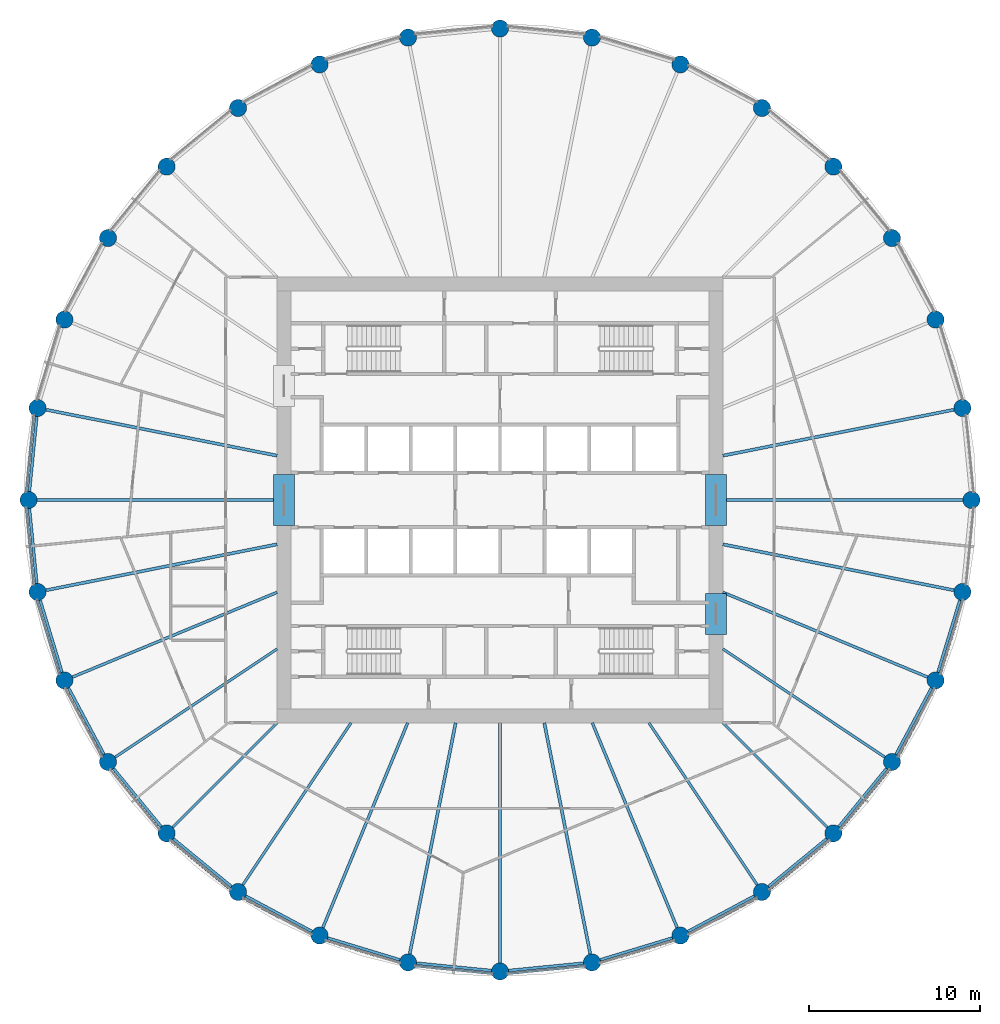
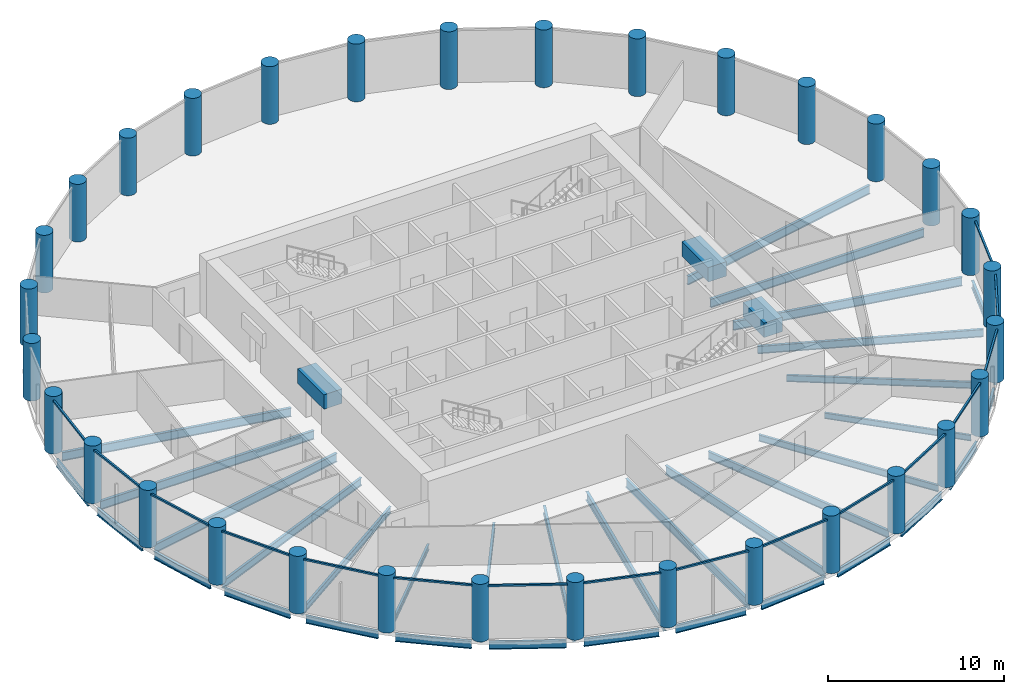
# One storey, part 1 of 9: 38 beams, 32 columns, 16 members, 16 elements without a shape of their own.
"""IFC4 building model written with IfcOpenShell, lengths in metres."""

from ifc_helpers import new_model, si_unit, direction, frame, origin, origin_2d, place, context, subcontext, project, spatial, rectangle, circle, i_section, extrude, material, material_profile, profile_set, type_object, element, aggregate, save


model = new_model("IFC4")

# Units and contexts
model_context = context("Model", 3, precision=1e-05, world=origin(), true_north=direction((0.0, 1.0)))
body_context = subcontext(model_context, "Body", "Model", "MODEL_VIEW")
ifc_project = project(units=[si_unit("LENGTHUNIT", "METRE"), si_unit("AREAUNIT", "SQUARE_METRE"), si_unit("VOLUMEUNIT", "CUBIC_METRE"), si_unit("PLANEANGLEUNIT", "RADIAN"), si_unit("MASSUNIT", "GRAM", prefix="KILO")], contexts=[model_context])

# Site, building, storey
site_placement = place(None, origin())
site = spatial("IfcSite", under=ifc_project, at=site_placement, CompositionType="ELEMENT")
building_placement = place(site_placement, origin())
building = spatial("IfcBuilding", under=site, at=building_placement, Name="Corvane Civic Tower", CompositionType="ELEMENT")
storey_placement = place(building_placement, frame((0.0, 0.0, 225.5)))
storey = spatial("IfcBuildingStorey", under=building, at=storey_placement, Name="L53", CompositionType="ELEMENT", Elevation=225.5)

# Columns
ifc_material_1 = material(Name="Concrete C60/75", Category="concrete")
ifc_material_profile_1 = material_profile(ifc_material_1, circle(Radius=0.5, at=origin_2d()), Name="COLUMN 1000")
ifc_profile_set_1 = profile_set([ifc_material_profile_1], Name="Concrete C60/75")
column_type = type_object("IfcColumnType", Name="RC COLUMN COLUMN 1000", PredefinedType="COLUMN", material=ifc_profile_set_1)
for number, where, z_axis, x_axis, name in (
    (1, (0.0, 27.5, 0.0), (0.0, 0.0, 1.0), (1.0, 0.0, 0.0), "COL-L53-D01"),
    (2, (5.364990234375, 26.9716796875, 0.0), (0.0, 0.0, 1.0), (1.0, 0.0, 0.0), "COL-L53-D02"),
    (3, (10.523681640625, 25.40673828125, 0.0), (0.0, 0.0, 1.0), (1.0, 0.0, 0.0), "COL-L53-D03"),
    (4, (15.278076171875, 22.865478515625, 0.0), (0.0, 0.0, 1.0), (1.0, 0.0, 0.0), "COL-L53-D04"),
    (5, (19.445556640625, 19.445556640625, 0.0), (0.0, 0.0, 1.0), (1.0, 0.0, 0.0), "COL-L53-D05"),
    (6, (22.865478515625, 15.278076171875, 0.0), (0.0, 0.0, 1.0), (1.0, 0.0, 0.0), "COL-L53-D06"),
    (7, (25.40673828125, 10.523681640625, 0.0), (0.0, 0.0, 1.0), (1.0, 0.0, 0.0), "COL-L53-D07"),
    (8, (26.9716796875, 5.364990234375, 0.0), (0.0, 0.0, 1.0), (1.0, 0.0, 0.0), "COL-L53-D08"),
    (9, (27.5, 0.0, 0.0), (0.0, 0.0, 1.0), (1.0, 0.0, 0.0), "COL-L53-D09"),
    (10, (26.9716796875, -5.364990234375, 0.0), (0.0, 0.0, 1.0), (1.0, 0.0, 0.0), "COL-L53-D10"),
    (11, (25.40673828125, -10.523681640625, 0.0), (0.0, 0.0, 1.0), (1.0, 0.0, 0.0), "COL-L53-D11"),
    (12, (22.865478515625, -15.278076171875, 0.0), (0.0, 0.0, 1.0), (1.0, 0.0, 0.0), "COL-L53-D12"),
    (13, (19.445556640625, -19.445556640625, 0.0), (0.0, 0.0, 1.0), (1.0, 0.0, 0.0), "COL-L53-D13"),
    (14, (15.278076171875, -22.865478515625, 0.0), (0.0, 0.0, 1.0), (1.0, 0.0, 0.0), "COL-L53-D14"),
    (15, (10.523681640625, -25.40673828125, 0.0), (0.0, 0.0, 1.0), (1.0, 0.0, 0.0), "COL-L53-D15"),
    (16, (5.364990234375, -26.9716796875, 0.0), (0.0, 0.0, 1.0), (1.0, 0.0, 0.0), "COL-L53-D16"),
    (17, (0.0, -27.5, 0.0), (0.0, 0.0, 1.0), (1.0, 0.0, 0.0), "COL-L53-D17"),
    (18, (-5.364990234375, -26.9716796875, 0.0), (0.0, 0.0, 1.0), (1.0, 0.0, 0.0), "COL-L53-D18"),
    (19, (-10.523681640625, -25.40673828125, 0.0), (0.0, 0.0, 1.0), (1.0, 0.0, 0.0), "COL-L53-D19"),
    (20, (-15.278076171875, -22.865478515625, 0.0), (0.0, 0.0, 1.0), (1.0, 0.0, 0.0), "COL-L53-D20"),
    (21, (-19.445556640625, -19.445556640625, 0.0), (0.0, 0.0, 1.0), (1.0, 0.0, 0.0), "COL-L53-D21"),
    (22, (-22.865478515625, -15.278076171875, 0.0), (0.0, 0.0, 1.0), (1.0, 0.0, 0.0), "COL-L53-D22"),
    (23, (-25.40673828125, -10.523681640625, 0.0), (0.0, 0.0, 1.0), (1.0, 0.0, 0.0), "COL-L53-D23"),
    (24, (-26.9716796875, -5.364990234375, 0.0), (0.0, 0.0, 1.0), (1.0, 0.0, 0.0), "COL-L53-D24"),
    (25, (-27.5, 0.0, 0.0), (0.0, 0.0, 1.0), (1.0, 0.0, 0.0), "COL-L53-D25"),
    (26, (-26.9716796875, 5.364990234375, 0.0), (0.0, 0.0, 1.0), (1.0, 0.0, 0.0), "COL-L53-D26"),
    (27, (-25.40673828125, 10.523681640625, 0.0), (0.0, 0.0, 1.0), (1.0, 0.0, 0.0), "COL-L53-D27"),
    (28, (-22.865478515625, 15.278076171875, 0.0), (0.0, 0.0, 1.0), (1.0, 0.0, 0.0), "COL-L53-D28"),
    (29, (-19.445556640625, 19.445556640625, 0.0), (0.0, 0.0, 1.0), (1.0, 0.0, 0.0), "COL-L53-D29"),
    (30, (-15.278076171875, 22.865478515625, 0.0), (0.0, 0.0, 1.0), (1.0, 0.0, 0.0), "COL-L53-D30"),
    (31, (-10.523681640625, 25.40673828125, 0.0), (0.0, 0.0, 1.0), (1.0, 0.0, 0.0), "COL-L53-D31"),
    (32, (-5.364990234375, 26.9716796875, 0.0), (0.0, 0.0, 1.0), (1.0, 0.0, 0.0), "COL-L53-D32"),
):
    element("IfcColumn", number, at=place(storey_placement, frame(where, z_axis=z_axis, x_axis=x_axis)), inside=storey, type_object=column_type, Name=name, PredefinedType="COLUMN", context=body_context, shape_type="SweptSolid", body=[
        extrude(circle(Radius=0.5, at=origin_2d()), origin(), (0.0, 0.0, 1.0), 4.0),
    ])

# Beams
ifc_material_2 = material(Name="Concrete C50/60", Category="concrete")
ifc_material_profile_2 = material_profile(ifc_material_2, rectangle(XDim=1.199951171875, YDim=1.0, at=origin_2d()), Name="COUPLING BEAM 1200X1000")
ifc_profile_set_2 = profile_set([ifc_material_profile_2], Name="Concrete C50/60")
beam_type_1 = type_object("IfcBeamType", Name="COUPLING BEAM COUPLING BEAM 1200X1000", PredefinedType="BEAM", material=ifc_profile_set_2)
for number, where, z_axis, x_axis, name in (
    (33, (-12.60009765625, -1.5, 2.60009765625), (0.0, 1.0, 0.0), (-1.0, 0.0, 0.0), "BM-L53-cpl-CW-LW"),
    (34, (12.60009765625, -1.5, 2.60009765625), (0.0, 1.0, 0.0), (-1.0, 0.0, 0.0), "BM-L53-cpl-CW-LE"),
):
    element("IfcBeam", number, at=place(storey_placement, frame(where, z_axis=z_axis, x_axis=x_axis)), inside=storey, type_object=beam_type_1, Name=name, PredefinedType="BEAM", context=body_context, shape_type="SweptSolid", body=[
        extrude(rectangle(XDim=1.199951171875, YDim=1.0, at=origin_2d()), origin(), (0.0, 0.0, 1.0), 3.0),
    ])
beam_1_placement = place(storey_placement, frame((12.60009765625, -7.85009765625, 2.60009765625), z_axis=(0.0, 1.0, 0.0), x_axis=(-1.0, 0.0, 0.0)))
element("IfcBeam", 35, at=beam_1_placement, inside=storey, type_object=beam_type_1, Name="BM-L53-cpl-CW-ES", PredefinedType="BEAM", context=body_context, shape_type="SweptSolid", body=[
    extrude(rectangle(XDim=1.199951171875, YDim=1.0, at=origin_2d()), origin(), (0.0, 0.0, 1.0), 2.400146484375),
])
ifc_material_3 = material(Name="Steel ASTM A992 Gr 50", Category="steel")
ifc_material_profile_3 = material_profile(ifc_material_3, i_section(OverallWidth=0.165771484375, OverallDepth=0.5283203125, WebThickness=0.009765625, FlangeThickness=0.013671875, at=origin_2d()), Name="W21X50")
ifc_profile_set_3 = profile_set([ifc_material_profile_3], Name="Steel ASTM A992 Gr 50")
beam_type_2 = type_object("IfcBeamType", Name="EDGE BEAM W21X50", PredefinedType="BEAM", material=ifc_profile_set_3)
beam_2_placement = place(storey_placement, frame((26.826416015625, -5.843505859375, -0.564208984375), z_axis=(-0.290254307888, -0.956949547653, 0.0), x_axis=(0.956949547653, -0.290254307888, 0.0)))
element("IfcBeam", 36, at=beam_2_placement, inside=storey, type_object=beam_type_2, Name="BM-L53-E10", PredefinedType="BEAM", context=body_context, shape_type="SweptSolid", body=[
    extrude(i_section(OverallWidth=0.165771484375, OverallDepth=0.5283203125, WebThickness=0.009765625, FlangeThickness=0.013671875, at=origin_2d()), origin(), (0.0, 0.0, 1.0), 4.390625),
])
for number, where, z_axis, x_axis, name in (
    (37, (25.171142578125, -10.964599609375, -0.564208984375), (-0.471422006704, -0.881907756852, 0.0), (0.881907756852, -0.471422006704, 0.0), "BM-L53-E11"),
    (38, (22.54833984375, -15.66455078125, -0.564208984375), (-0.634369433447, -0.773030026524, 0.0), (0.773030026524, -0.634369433447, 0.0), "BM-L53-E12"),
    (39, (19.05908203125, -19.7626953125, -0.564208984375), (-0.773030026524, -0.634369433447, 0.0), (0.634369433447, -0.773030026524, 0.0), "BM-L53-E13"),
    (40, (14.837158203125, -23.10107421875, -0.564208984375), (-0.881907756852, -0.471422006704, 0.0), (0.471422006704, -0.881907756852, 0.0), "BM-L53-E14"),
):
    element("IfcBeam", number, at=place(storey_placement, frame(where, z_axis=z_axis, x_axis=x_axis)), inside=storey, type_object=beam_type_2, Name=name, PredefinedType="BEAM", context=body_context, shape_type="SweptSolid", body=[
        extrude(i_section(OverallWidth=0.165771484375, OverallDepth=0.5283203125, WebThickness=0.009765625, FlangeThickness=0.013671875, at=origin_2d()), origin(), (0.0, 0.0, 1.0), 4.39111328125),
    ])
beam_3_placement = place(storey_placement, frame((10.045166015625, -25.552001953125, -0.564208984375), z_axis=(-0.956949547653, -0.290254307888, 0.0), x_axis=(0.290254307888, -0.956949547653, 0.0)))
element("IfcBeam", 41, at=beam_3_placement, inside=storey, type_object=beam_type_2, Name="BM-L53-E15", PredefinedType="BEAM", context=body_context, shape_type="SweptSolid", body=[
    extrude(i_section(OverallWidth=0.165771484375, OverallDepth=0.5283203125, WebThickness=0.009765625, FlangeThickness=0.013671875, at=origin_2d()), origin(), (0.0, 0.0, 1.0), 4.390625),
])
for number, where, z_axis, x_axis, name in (
    (42, (4.867431640625, -27.020751953125, -0.564208984375), (-0.995189593769, -0.097967711281, 0.0), (0.097967711281, -0.995189593769, 0.0), "BM-L53-E16"),
    (43, (-0.49755859375, -27.450927734375, -0.564208984375), (-0.995189593769, 0.097967711281, 0.0), (-0.097967711281, -0.995189593769, 0.0), "BM-L53-E17"),
):
    element("IfcBeam", number, at=place(storey_placement, frame(where, z_axis=z_axis, x_axis=x_axis)), inside=storey, type_object=beam_type_2, Name=name, PredefinedType="BEAM", context=body_context, shape_type="SweptSolid", body=[
        extrude(i_section(OverallWidth=0.165771484375, OverallDepth=0.5283203125, WebThickness=0.009765625, FlangeThickness=0.013671875, at=origin_2d()), origin(), (0.0, 0.0, 1.0), 4.39111328125),
    ])
beam_4_placement = place(storey_placement, frame((-5.843505859375, -26.826416015625, -0.564208984375), z_axis=(-0.956949547653, 0.290254307888, 0.0), x_axis=(-0.290254307888, -0.956949547653, 0.0)))
element("IfcBeam", 44, at=beam_4_placement, inside=storey, type_object=beam_type_2, Name="BM-L53-E18", PredefinedType="BEAM", context=body_context, shape_type="SweptSolid", body=[
    extrude(i_section(OverallWidth=0.165771484375, OverallDepth=0.5283203125, WebThickness=0.009765625, FlangeThickness=0.013671875, at=origin_2d()), origin(), (0.0, 0.0, 1.0), 4.390625),
])
for number, where, z_axis, x_axis, name in (
    (45, (-10.964599609375, -25.171142578125, -0.564208984375), (-0.881907756852, 0.471422006704, 0.0), (-0.471422006704, -0.881907756852, 0.0), "BM-L53-E19"),
    (46, (-15.66455078125, -22.54833984375, -0.564208984375), (-0.773030026524, 0.634369433447, 0.0), (-0.634369433447, -0.773030026524, 0.0), "BM-L53-E20"),
    (47, (-19.7626953125, -19.05908203125, -0.564208984375), (-0.634369433447, 0.773030026524, 0.0), (-0.773030026524, -0.634369433447, 0.0), "BM-L53-E21"),
    (48, (-23.10107421875, -14.837158203125, -0.564208984375), (-0.471422006704, 0.881907756852, 0.0), (-0.881907756852, -0.471422006704, 0.0), "BM-L53-E22"),
):
    element("IfcBeam", number, at=place(storey_placement, frame(where, z_axis=z_axis, x_axis=x_axis)), inside=storey, type_object=beam_type_2, Name=name, PredefinedType="BEAM", context=body_context, shape_type="SweptSolid", body=[
        extrude(i_section(OverallWidth=0.165771484375, OverallDepth=0.5283203125, WebThickness=0.009765625, FlangeThickness=0.013671875, at=origin_2d()), origin(), (0.0, 0.0, 1.0), 4.39111328125),
    ])
beam_5_placement = place(storey_placement, frame((-25.552001953125, -10.045166015625, -0.564208984375), z_axis=(-0.290254307888, 0.956949547653, 0.0), x_axis=(-0.956949547653, -0.290254307888, 0.0)))
element("IfcBeam", 49, at=beam_5_placement, inside=storey, type_object=beam_type_2, Name="BM-L53-E23", PredefinedType="BEAM", context=body_context, shape_type="SweptSolid", body=[
    extrude(i_section(OverallWidth=0.165771484375, OverallDepth=0.5283203125, WebThickness=0.009765625, FlangeThickness=0.013671875, at=origin_2d()), origin(), (0.0, 0.0, 1.0), 4.390625),
])
for number, where, z_axis, x_axis, name in (
    (50, (-27.020751953125, -4.867431640625, -0.564208984375), (-0.097967711281, 0.995189593769, 0.0), (-0.995189593769, -0.097967711281, 0.0), "BM-L53-E24"),
    (51, (-27.450927734375, 0.49755859375, -0.564208984375), (0.097967711281, 0.995189593769, 0.0), (-0.995189593769, 0.097967711281, 0.0), "BM-L53-E25"),
):
    element("IfcBeam", number, at=place(storey_placement, frame(where, z_axis=z_axis, x_axis=x_axis)), inside=storey, type_object=beam_type_2, Name=name, PredefinedType="BEAM", context=body_context, shape_type="SweptSolid", body=[
        extrude(i_section(OverallWidth=0.165771484375, OverallDepth=0.5283203125, WebThickness=0.009765625, FlangeThickness=0.013671875, at=origin_2d()), origin(), (0.0, 0.0, 1.0), 4.39111328125),
    ])
ifc_material_4 = material(Name="Steel ASTM A992 Gr 50", Category="steel")
ifc_material_profile_4 = material_profile(ifc_material_4, i_section(OverallWidth=0.140380859375, OverallDepth=0.40380859375, WebThickness=0.007080078125, FlangeThickness=0.01123046875, at=origin_2d()), Name="W16X31")
ifc_profile_set_4 = profile_set([ifc_material_profile_4], Name="Steel ASTM A992 Gr 50")
beam_type_3 = type_object("IfcBeamType", Name="FLOOR GIRDER W16X31", PredefinedType="BEAM", material=ifc_profile_set_4)
for number, where, z_axis, x_axis, name in (
    (52, (13.0, -13.0, -0.501953125), (0.707106781187, -0.707106781187, 0.0), (0.707106781187, 0.707106781187, 0.0), "BM-L53-G13"),
    (53, (-13.0, -13.0, -0.501953125), (-0.707106781187, -0.707106781187, 0.0), (0.707106781187, -0.707106781187, 0.0), "BM-L53-G21"),
):
    element("IfcBeam", number, at=place(storey_placement, frame(where, z_axis=z_axis, x_axis=x_axis)), inside=storey, type_object=beam_type_3, Name=name, PredefinedType="BEAM", context=body_context, shape_type="SweptSolid", body=[
        extrude(i_section(OverallWidth=0.140380859375, OverallDepth=0.40380859375, WebThickness=0.007080078125, FlangeThickness=0.01123046875, at=origin_2d()), origin(), (0.0, 0.0, 1.0), 8.614990234375),
    ])
ifc_material_5 = material(Name="Steel ASTM A992 Gr 50", Category="steel")
ifc_material_profile_5 = material_profile(ifc_material_5, i_section(OverallWidth=0.15283203125, OverallDepth=0.45458984375, WebThickness=0.008056640625, FlangeThickness=0.013427734375, at=origin_2d()), Name="W18X40")
ifc_profile_set_5 = profile_set([ifc_material_profile_5], Name="Steel ASTM A992 Gr 50")
beam_type_4 = type_object("IfcBeamType", Name="FLOOR GIRDER W18X40", PredefinedType="BEAM", material=ifc_profile_set_5)
for number, where, z_axis, x_axis, name in (
    (54, (13.0, -8.686279296875, -0.52734375), (0.831464872557, -0.555577326485, 0.0), (0.555577326485, 0.831464872557, 0.0), "BM-L53-G12"),
    (55, (8.686279296875, -13.0, -0.52734375), (0.555577326485, -0.831464872557, 0.0), (0.831464872557, 0.555577326485, 0.0), "BM-L53-G14"),
    (56, (-8.686279296875, -13.0, -0.52734375), (-0.555577326485, -0.831464872557, 0.0), (0.831464872557, -0.555577326485, 0.0), "BM-L53-G20"),
    (57, (-13.0, -8.686279296875, -0.52734375), (-0.831464872557, -0.555577326485, 0.0), (0.555577326485, -0.831464872557, 0.0), "BM-L53-G22"),
):
    element("IfcBeam", number, at=place(storey_placement, frame(where, z_axis=z_axis, x_axis=x_axis)), inside=storey, type_object=beam_type_4, Name=name, PredefinedType="BEAM", context=body_context, shape_type="SweptSolid", body=[
        extrude(i_section(OverallWidth=0.15283203125, OverallDepth=0.45458984375, WebThickness=0.008056640625, FlangeThickness=0.013427734375, at=origin_2d()), origin(), (0.0, 0.0, 1.0), 11.365234375),
    ])
ifc_material_6 = material(Name="Steel ASTM A992 Gr 50", Category="steel")
ifc_material_profile_6 = material_profile(ifc_material_6, i_section(OverallWidth=0.165771484375, OverallDepth=0.5283203125, WebThickness=0.009765625, FlangeThickness=0.013671875, at=origin_2d()), Name="W21X50")
ifc_profile_set_6 = profile_set([ifc_material_profile_6], Name="Steel ASTM A992 Gr 50")
beam_type_5 = type_object("IfcBeamType", Name="FLOOR GIRDER W21X50", PredefinedType="BEAM", material=ifc_profile_set_6)
for number, where, z_axis, x_axis, name in (
    (58, (13.0, -5.384765625, -0.564208984375), (0.923878282404, -0.382686450378, 0.0), (0.382686450378, 0.923878282404, 0.0), "BM-L53-G11"),
    (59, (5.384765625, -13.0, -0.564208984375), (0.382686450378, -0.923878282404, 0.0), (0.923878282404, 0.382686450378, 0.0), "BM-L53-G15"),
    (60, (-5.384765625, -13.0, -0.564208984375), (-0.382686450378, -0.923878282404, 0.0), (0.923878282404, -0.382686450378, 0.0), "BM-L53-G19"),
    (61, (-13.0, -5.384765625, -0.564208984375), (-0.923878282404, -0.382686450378, 0.0), (0.382686450378, -0.923878282404, 0.0), "BM-L53-G23"),
):
    element("IfcBeam", number, at=place(storey_placement, frame(where, z_axis=z_axis, x_axis=x_axis)), inside=storey, type_object=beam_type_5, Name=name, PredefinedType="BEAM", context=body_context, shape_type="SweptSolid", body=[
        extrude(i_section(OverallWidth=0.165771484375, OverallDepth=0.5283203125, WebThickness=0.009765625, FlangeThickness=0.013671875, at=origin_2d()), origin(), (0.0, 0.0, 1.0), 12.928955078125),
    ])
ifc_material_7 = material(Name="Steel ASTM A992 Gr 50", Category="steel")
ifc_material_profile_7 = material_profile(ifc_material_7, i_section(OverallWidth=0.177978515625, OverallDepth=0.599365234375, WebThickness=0.010009765625, FlangeThickness=0.012939453125, at=origin_2d()), Name="W24X55")
ifc_profile_set_7 = profile_set([ifc_material_profile_7], Name="Steel ASTM A992 Gr 50")
beam_type_6 = type_object("IfcBeamType", Name="FLOOR GIRDER W24X55", PredefinedType="BEAM", material=ifc_profile_set_7)
beam_6_placement = place(storey_placement, frame((13.0, 2.5859375, -0.599609375), z_axis=(0.980787802109, 0.195077644118, 0.0), x_axis=(-0.195077644118, 0.980787802109, 0.0)))
element("IfcBeam", 62, at=beam_6_placement, inside=storey, type_object=beam_type_6, Name="BM-L53-G08", PredefinedType="BEAM", context=body_context, shape_type="SweptSolid", body=[
    extrude(i_section(OverallWidth=0.177978515625, OverallDepth=0.599365234375, WebThickness=0.010009765625, FlangeThickness=0.012939453125, at=origin_2d()), origin(), (0.0, 0.0, 1.0), 13.745361328125),
])
beam_7_placement = place(storey_placement, frame((13.0, 0.0, -0.599609375), z_axis=(1.0, 0.0, 0.0), x_axis=(0.0, 1.0, 0.0)))
element("IfcBeam", 63, at=beam_7_placement, inside=storey, type_object=beam_type_6, Name="BM-L53-G09", PredefinedType="BEAM", context=body_context, shape_type="SweptSolid", body=[
    extrude(i_section(OverallWidth=0.177978515625, OverallDepth=0.599365234375, WebThickness=0.010009765625, FlangeThickness=0.012939453125, at=origin_2d()), origin(), (0.0, 0.0, 1.0), 14.0),
])
for number, where, z_axis, x_axis, name in (
    (64, (13.0, -2.5859375, -0.599609375), (0.980787802109, -0.195077644118, 0.0), (0.195077644118, 0.980787802109, 0.0), "BM-L53-G10"),
    (65, (2.5859375, -13.0, -0.599609375), (0.195077644118, -0.980787802109, 0.0), (0.980787802109, 0.195077644118, 0.0), "BM-L53-G16"),
):
    element("IfcBeam", number, at=place(storey_placement, frame(where, z_axis=z_axis, x_axis=x_axis)), inside=storey, type_object=beam_type_6, Name=name, PredefinedType="BEAM", context=body_context, shape_type="SweptSolid", body=[
        extrude(i_section(OverallWidth=0.177978515625, OverallDepth=0.599365234375, WebThickness=0.010009765625, FlangeThickness=0.012939453125, at=origin_2d()), origin(), (0.0, 0.0, 1.0), 13.745361328125),
    ])
beam_8_placement = place(storey_placement, frame((0.0, -13.0, -0.599609375), z_axis=(0.0, -1.0, 0.0), x_axis=(1.0, 0.0, 0.0)))
element("IfcBeam", 66, at=beam_8_placement, inside=storey, type_object=beam_type_6, Name="BM-L53-G17", PredefinedType="BEAM", context=body_context, shape_type="SweptSolid", body=[
    extrude(i_section(OverallWidth=0.177978515625, OverallDepth=0.599365234375, WebThickness=0.010009765625, FlangeThickness=0.012939453125, at=origin_2d()), origin(), (0.0, 0.0, 1.0), 14.0),
])
for number, where, z_axis, x_axis, name in (
    (67, (-2.5859375, -13.0, -0.599609375), (-0.195077644118, -0.980787802109, 0.0), (0.980787802109, -0.195077644118, 0.0), "BM-L53-G18"),
    (68, (-13.0, -2.5859375, -0.599609375), (-0.980787802109, -0.195077644118, 0.0), (0.195077644118, -0.980787802109, 0.0), "BM-L53-G24"),
):
    element("IfcBeam", number, at=place(storey_placement, frame(where, z_axis=z_axis, x_axis=x_axis)), inside=storey, type_object=beam_type_6, Name=name, PredefinedType="BEAM", context=body_context, shape_type="SweptSolid", body=[
        extrude(i_section(OverallWidth=0.177978515625, OverallDepth=0.599365234375, WebThickness=0.010009765625, FlangeThickness=0.012939453125, at=origin_2d()), origin(), (0.0, 0.0, 1.0), 13.745361328125),
    ])
beam_9_placement = place(storey_placement, frame((-13.0, 0.0, -0.599609375), z_axis=(-1.0, 0.0, 0.0), x_axis=(0.0, -1.0, 0.0)))
element("IfcBeam", 69, at=beam_9_placement, inside=storey, type_object=beam_type_6, Name="BM-L53-G25", PredefinedType="BEAM", context=body_context, shape_type="SweptSolid", body=[
    extrude(i_section(OverallWidth=0.177978515625, OverallDepth=0.599365234375, WebThickness=0.010009765625, FlangeThickness=0.012939453125, at=origin_2d()), origin(), (0.0, 0.0, 1.0), 14.0),
])
beam_10_placement = place(storey_placement, frame((-13.0, 2.5859375, -0.599609375), z_axis=(-0.980787802109, 0.195077644118, 0.0), x_axis=(-0.195077644118, -0.980787802109, 0.0)))
element("IfcBeam", 70, at=beam_10_placement, inside=storey, type_object=beam_type_6, Name="BM-L53-G26", PredefinedType="BEAM", context=body_context, shape_type="SweptSolid", body=[
    extrude(i_section(OverallWidth=0.177978515625, OverallDepth=0.599365234375, WebThickness=0.010009765625, FlangeThickness=0.012939453125, at=origin_2d()), origin(), (0.0, 0.0, 1.0), 13.745361328125),
])

# Curtain wall, member
ifc_material_8 = material(Name="Anodised aluminium bronze", Category="aluminium")
curtain_wall_type = type_object("IfcCurtainWallType", Name="TOWER CW-T2 STICK CURTAIN WALL", PredefinedType="NOTDEFINED", material=ifc_material_8)
curtain_wall_1_placement = place(storey_placement, origin())
curtain_wall_1 = element("IfcCurtainWall", 71, at=curtain_wall_1_placement, inside=storey, type_object=curtain_wall_type, Name="Curtain wall CW-T2 L53 bay 10", PredefinedType="NOTDEFINED")
ifc_material_9 = material(Name="Anodised aluminium bronze", Category="aluminium")
ifc_material_profile_8 = material_profile(ifc_material_9, rectangle(XDim=0.1201171875, YDim=0.1201171875, at=origin_2d()), Name="TOWER CW-T2 TRANSOM 120x120")
ifc_profile_set_8 = profile_set([ifc_material_profile_8], Name="Anodised aluminium bronze")
member_type = type_object("IfcMemberType", Name="TOWER CW-T2 TRANSOM 120x120", PredefinedType="USERDEFINED", material=ifc_profile_set_8)
member_1_placement = place(storey_placement, frame((27.016357421875, -5.8349609375, 3.68994140625), z_axis=(-0.2902818869, -0.956941182173, 0.0), x_axis=(0.956941182173, -0.2902818869, 0.0)))
member_1 = element("IfcMember", 72, at=member_1_placement, type_object=member_type, Name="Transom CW-T2 L53 10.1", ObjectType="TRANSOM", PredefinedType="USERDEFINED", context=body_context, shape_type="SweptSolid", body=[
    extrude(rectangle(XDim=0.1201171875, YDim=0.1201171875, at=origin_2d()), origin(), (0.0, 0.0, 1.0), 4.517333984375),
])
aggregate(curtain_wall_1, [member_1])

curtain_wall_2_placement = place(storey_placement, origin())
curtain_wall_2 = element("IfcCurtainWall", 73, at=curtain_wall_2_placement, inside=storey, type_object=curtain_wall_type, Name="Curtain wall CW-T2 L53 bay 11", PredefinedType="NOTDEFINED")
member_2_placement = place(storey_placement, frame((25.35888671875, -10.993408203125, 3.68994140625), z_axis=(-0.471390317183, -0.881924695689, 0.0), x_axis=(0.881924695689, -0.471390317183, 0.0)))
member_2 = element("IfcMember", 74, at=member_2_placement, type_object=member_type, Name="Transom CW-T2 L53 11.1", ObjectType="TRANSOM", PredefinedType="USERDEFINED", context=body_context, shape_type="SweptSolid", body=[
    extrude(rectangle(XDim=0.1201171875, YDim=0.1201171875, at=origin_2d()), origin(), (0.0, 0.0, 1.0), 4.517333984375),
])
aggregate(curtain_wall_2, [member_2])

curtain_wall_3_placement = place(storey_placement, origin())
curtain_wall_3 = element("IfcCurtainWall", 75, at=curtain_wall_3_placement, inside=storey, type_object=curtain_wall_type, Name="Curtain wall CW-T2 L53 bay 12", PredefinedType="NOTDEFINED")
member_3_placement = place(storey_placement, frame((22.726806640625, -15.7294921875, 3.68994140625), z_axis=(-0.634387834569, -0.773014925698, 0.0), x_axis=(0.773014925698, -0.634387834569, 0.0)))
member_3 = element("IfcMember", 76, at=member_3_placement, type_object=member_type, Name="Transom CW-T2 L53 12.1", ObjectType="TRANSOM", PredefinedType="USERDEFINED", context=body_context, shape_type="SweptSolid", body=[
    extrude(rectangle(XDim=0.1201171875, YDim=0.1201171875, at=origin_2d()), origin(), (0.0, 0.0, 1.0), 4.517333984375),
])
aggregate(curtain_wall_3, [member_3])

curtain_wall_4_placement = place(storey_placement, origin())
curtain_wall_4 = element("IfcCurtainWall", 77, at=curtain_wall_4_placement, inside=storey, type_object=curtain_wall_type, Name="Curtain wall CW-T2 L53 bay 13", PredefinedType="NOTDEFINED")
member_4_placement = place(storey_placement, frame((19.221435546875, -19.861083984375, 3.68994140625), z_axis=(-0.773014925698, -0.634387834569, 0.0), x_axis=(0.634387834569, -0.773014925698, 0.0)))
member_4 = element("IfcMember", 78, at=member_4_placement, type_object=member_type, Name="Transom CW-T2 L53 13.1", ObjectType="TRANSOM", PredefinedType="USERDEFINED", context=body_context, shape_type="SweptSolid", body=[
    extrude(rectangle(XDim=0.1201171875, YDim=0.1201171875, at=origin_2d()), origin(), (0.0, 0.0, 1.0), 4.517333984375),
])
aggregate(curtain_wall_4, [member_4])

curtain_wall_5_placement = place(storey_placement, origin())
curtain_wall_5 = element("IfcCurtainWall", 79, at=curtain_wall_5_placement, inside=storey, type_object=curtain_wall_type, Name="Curtain wall CW-T2 L53 bay 14", PredefinedType="NOTDEFINED")
member_5_placement = place(storey_placement, frame((14.977294921875, -23.2294921875, 3.68994140625), z_axis=(-0.881924695689, -0.471390317183, 0.0), x_axis=(0.471390317183, -0.881924695689, 0.0)))
member_5 = element("IfcMember", 80, at=member_5_placement, type_object=member_type, Name="Transom CW-T2 L53 14.1", ObjectType="TRANSOM", PredefinedType="USERDEFINED", context=body_context, shape_type="SweptSolid", body=[
    extrude(rectangle(XDim=0.1201171875, YDim=0.1201171875, at=origin_2d()), origin(), (0.0, 0.0, 1.0), 4.517333984375),
])
aggregate(curtain_wall_5, [member_5])

curtain_wall_6_placement = place(storey_placement, origin())
curtain_wall_6 = element("IfcCurtainWall", 81, at=curtain_wall_6_placement, inside=storey, type_object=curtain_wall_type, Name="Curtain wall CW-T2 L53 bay 15", PredefinedType="NOTDEFINED")
member_6_placement = place(storey_placement, frame((10.15771484375, -25.705078125, 3.68994140625), z_axis=(-0.956941182173, -0.2902818869, 0.0), x_axis=(0.2902818869, -0.956941182173, 0.0)))
member_6 = element("IfcMember", 82, at=member_6_placement, type_object=member_type, Name="Transom CW-T2 L53 15.1", ObjectType="TRANSOM", PredefinedType="USERDEFINED", context=body_context, shape_type="SweptSolid", body=[
    extrude(rectangle(XDim=0.1201171875, YDim=0.1201171875, at=origin_2d()), origin(), (0.0, 0.0, 1.0), 4.517333984375),
])
aggregate(curtain_wall_6, [member_6])

curtain_wall_7_placement = place(storey_placement, origin())
curtain_wall_7 = element("IfcCurtainWall", 83, at=curtain_wall_7_placement, inside=storey, type_object=curtain_wall_type, Name="Curtain wall CW-T2 L53 bay 16", PredefinedType="NOTDEFINED")
member_7_placement = place(storey_placement, frame((4.94775390625, -27.192626953125, 3.68994140625), z_axis=(-0.995182207386, -0.098042715701, 0.0), x_axis=(0.098042715701, -0.995182207386, 0.0)))
member_7 = element("IfcMember", 84, at=member_7_placement, type_object=member_type, Name="Transom CW-T2 L53 16.1", ObjectType="TRANSOM", PredefinedType="USERDEFINED", context=body_context, shape_type="SweptSolid", body=[
    extrude(rectangle(XDim=0.1201171875, YDim=0.1201171875, at=origin_2d()), origin(), (0.0, 0.0, 1.0), 4.51708984375),
])
aggregate(curtain_wall_7, [member_7])

curtain_wall_8_placement = place(storey_placement, origin())
curtain_wall_8 = element("IfcCurtainWall", 85, at=curtain_wall_8_placement, inside=storey, type_object=curtain_wall_type, Name="Curtain wall CW-T2 L53 bay 17", PredefinedType="NOTDEFINED")
member_8_placement = place(storey_placement, frame((-0.452392578125, -27.635498046875, 3.68994140625), z_axis=(-0.995182207386, 0.098042715701, 0.0), x_axis=(-0.098042715701, -0.995182207386, 0.0)))
member_8 = element("IfcMember", 86, at=member_8_placement, type_object=member_type, Name="Transom CW-T2 L53 17.1", ObjectType="TRANSOM", PredefinedType="USERDEFINED", context=body_context, shape_type="SweptSolid", body=[
    extrude(rectangle(XDim=0.1201171875, YDim=0.1201171875, at=origin_2d()), origin(), (0.0, 0.0, 1.0), 4.51708984375),
])
aggregate(curtain_wall_8, [member_8])

curtain_wall_9_placement = place(storey_placement, origin())
curtain_wall_9 = element("IfcCurtainWall", 87, at=curtain_wall_9_placement, inside=storey, type_object=curtain_wall_type, Name="Curtain wall CW-T2 L53 bay 18", PredefinedType="NOTDEFINED")
member_9_placement = place(storey_placement, frame((-5.8349609375, -27.016357421875, 3.68994140625), z_axis=(-0.956941182173, 0.2902818869, 0.0), x_axis=(-0.2902818869, -0.956941182173, 0.0)))
member_9 = element("IfcMember", 88, at=member_9_placement, type_object=member_type, Name="Transom CW-T2 L53 18.1", ObjectType="TRANSOM", PredefinedType="USERDEFINED", context=body_context, shape_type="SweptSolid", body=[
    extrude(rectangle(XDim=0.1201171875, YDim=0.1201171875, at=origin_2d()), origin(), (0.0, 0.0, 1.0), 4.517333984375),
])
aggregate(curtain_wall_9, [member_9])

curtain_wall_10_placement = place(storey_placement, origin())
curtain_wall_10 = element("IfcCurtainWall", 89, at=curtain_wall_10_placement, inside=storey, type_object=curtain_wall_type, Name="Curtain wall CW-T2 L53 bay 19", PredefinedType="NOTDEFINED")
member_10_placement = place(storey_placement, frame((-10.993408203125, -25.35888671875, 3.68994140625), z_axis=(-0.881924695689, 0.471390317183, 0.0), x_axis=(-0.471390317183, -0.881924695689, 0.0)))
member_10 = element("IfcMember", 90, at=member_10_placement, type_object=member_type, Name="Transom CW-T2 L53 19.1", ObjectType="TRANSOM", PredefinedType="USERDEFINED", context=body_context, shape_type="SweptSolid", body=[
    extrude(rectangle(XDim=0.1201171875, YDim=0.1201171875, at=origin_2d()), origin(), (0.0, 0.0, 1.0), 4.517333984375),
])
aggregate(curtain_wall_10, [member_10])

curtain_wall_11_placement = place(storey_placement, origin())
curtain_wall_11 = element("IfcCurtainWall", 91, at=curtain_wall_11_placement, inside=storey, type_object=curtain_wall_type, Name="Curtain wall CW-T2 L53 bay 20", PredefinedType="NOTDEFINED")
member_11_placement = place(storey_placement, frame((-15.7294921875, -22.726806640625, 3.68994140625), z_axis=(-0.773014925698, 0.634387834569, 0.0), x_axis=(-0.634387834569, -0.773014925698, 0.0)))
member_11 = element("IfcMember", 92, at=member_11_placement, type_object=member_type, Name="Transom CW-T2 L53 20.1", ObjectType="TRANSOM", PredefinedType="USERDEFINED", context=body_context, shape_type="SweptSolid", body=[
    extrude(rectangle(XDim=0.1201171875, YDim=0.1201171875, at=origin_2d()), origin(), (0.0, 0.0, 1.0), 4.517333984375),
])
aggregate(curtain_wall_11, [member_11])

curtain_wall_12_placement = place(storey_placement, origin())
curtain_wall_12 = element("IfcCurtainWall", 93, at=curtain_wall_12_placement, inside=storey, type_object=curtain_wall_type, Name="Curtain wall CW-T2 L53 bay 21", PredefinedType="NOTDEFINED")
member_12_placement = place(storey_placement, frame((-19.861083984375, -19.221435546875, 3.68994140625), z_axis=(-0.634387834569, 0.773014925698, 0.0), x_axis=(-0.773014925698, -0.634387834569, 0.0)))
member_12 = element("IfcMember", 94, at=member_12_placement, type_object=member_type, Name="Transom CW-T2 L53 21.1", ObjectType="TRANSOM", PredefinedType="USERDEFINED", context=body_context, shape_type="SweptSolid", body=[
    extrude(rectangle(XDim=0.1201171875, YDim=0.1201171875, at=origin_2d()), origin(), (0.0, 0.0, 1.0), 4.517333984375),
])
aggregate(curtain_wall_12, [member_12])

curtain_wall_13_placement = place(storey_placement, origin())
curtain_wall_13 = element("IfcCurtainWall", 95, at=curtain_wall_13_placement, inside=storey, type_object=curtain_wall_type, Name="Curtain wall CW-T2 L53 bay 22", PredefinedType="NOTDEFINED")
member_13_placement = place(storey_placement, frame((-23.2294921875, -14.977294921875, 3.68994140625), z_axis=(-0.471390317183, 0.881924695689, 0.0), x_axis=(-0.881924695689, -0.471390317183, 0.0)))
member_13 = element("IfcMember", 96, at=member_13_placement, type_object=member_type, Name="Transom CW-T2 L53 22.1", ObjectType="TRANSOM", PredefinedType="USERDEFINED", context=body_context, shape_type="SweptSolid", body=[
    extrude(rectangle(XDim=0.1201171875, YDim=0.1201171875, at=origin_2d()), origin(), (0.0, 0.0, 1.0), 4.517333984375),
])
aggregate(curtain_wall_13, [member_13])

curtain_wall_14_placement = place(storey_placement, origin())
curtain_wall_14 = element("IfcCurtainWall", 97, at=curtain_wall_14_placement, inside=storey, type_object=curtain_wall_type, Name="Curtain wall CW-T2 L53 bay 23", PredefinedType="NOTDEFINED")
member_14_placement = place(storey_placement, frame((-25.705078125, -10.15771484375, 3.68994140625), z_axis=(-0.2902818869, 0.956941182173, 0.0), x_axis=(-0.956941182173, -0.2902818869, 0.0)))
member_14 = element("IfcMember", 98, at=member_14_placement, type_object=member_type, Name="Transom CW-T2 L53 23.1", ObjectType="TRANSOM", PredefinedType="USERDEFINED", context=body_context, shape_type="SweptSolid", body=[
    extrude(rectangle(XDim=0.1201171875, YDim=0.1201171875, at=origin_2d()), origin(), (0.0, 0.0, 1.0), 4.517333984375),
])
aggregate(curtain_wall_14, [member_14])

curtain_wall_15_placement = place(storey_placement, origin())
curtain_wall_15 = element("IfcCurtainWall", 99, at=curtain_wall_15_placement, inside=storey, type_object=curtain_wall_type, Name="Curtain wall CW-T2 L53 bay 24", PredefinedType="NOTDEFINED")
member_15_placement = place(storey_placement, frame((-27.192626953125, -4.94775390625, 3.68994140625), z_axis=(-0.098042715701, 0.995182207386, 0.0), x_axis=(-0.995182207386, -0.098042715701, 0.0)))
member_15 = element("IfcMember", 100, at=member_15_placement, type_object=member_type, Name="Transom CW-T2 L53 24.1", ObjectType="TRANSOM", PredefinedType="USERDEFINED", context=body_context, shape_type="SweptSolid", body=[
    extrude(rectangle(XDim=0.1201171875, YDim=0.1201171875, at=origin_2d()), origin(), (0.0, 0.0, 1.0), 4.51708984375),
])
aggregate(curtain_wall_15, [member_15])

curtain_wall_16_placement = place(storey_placement, origin())
curtain_wall_16 = element("IfcCurtainWall", 101, at=curtain_wall_16_placement, inside=storey, type_object=curtain_wall_type, Name="Curtain wall CW-T2 L53 bay 25", PredefinedType="NOTDEFINED")
member_16_placement = place(storey_placement, frame((-27.635498046875, 0.452392578125, 3.68994140625), z_axis=(0.098042715701, 0.995182207386, 0.0), x_axis=(-0.995182207386, 0.098042715701, 0.0)))
member_16 = element("IfcMember", 102, at=member_16_placement, type_object=member_type, Name="Transom CW-T2 L53 25.1", ObjectType="TRANSOM", PredefinedType="USERDEFINED", context=body_context, shape_type="SweptSolid", body=[
    extrude(rectangle(XDim=0.1201171875, YDim=0.1201171875, at=origin_2d()), origin(), (0.0, 0.0, 1.0), 4.51708984375),
])
aggregate(curtain_wall_16, [member_16])

save(model, "model.ifc")
